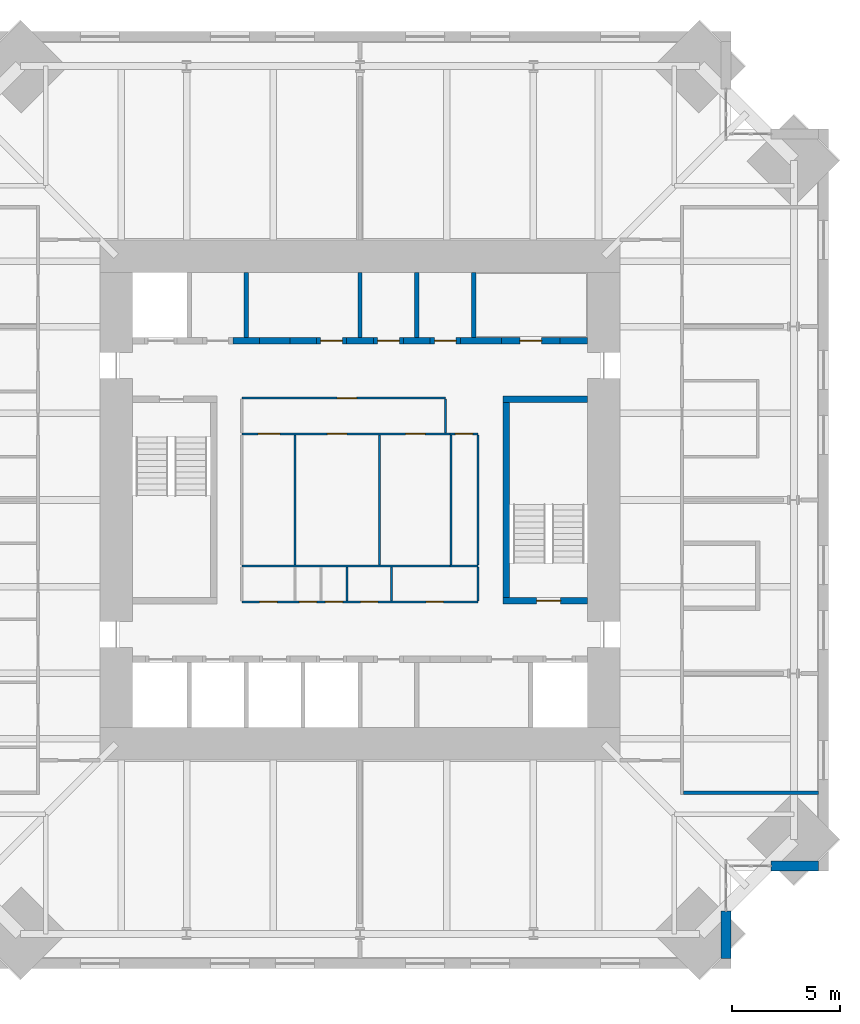
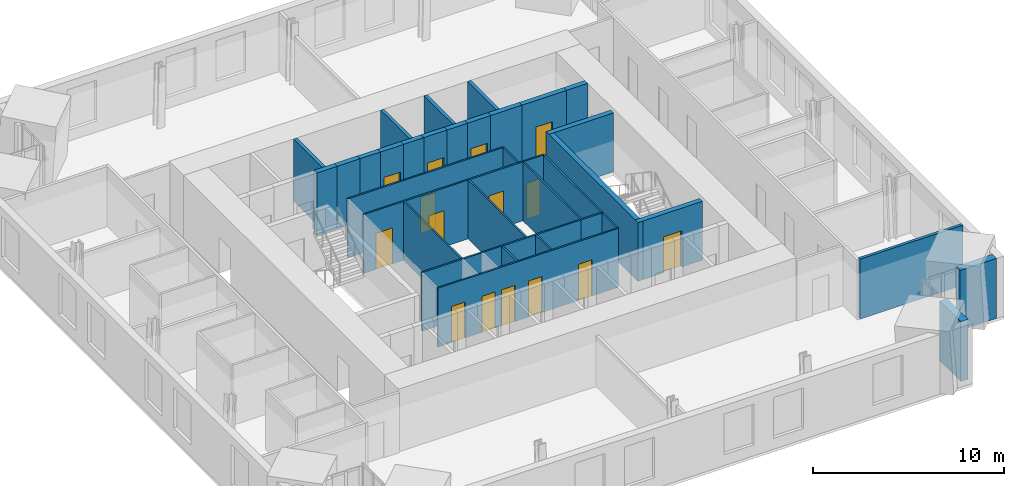
# One storey, part 13 of 16: 35 walls, 15 doors, 15 openings.
"""IFC4 building model written with IfcOpenShell, lengths in metres."""

from ifc_helpers import new_model, si_unit, direction, frame, frame_2d, origin, place, context, subcontext, project, spatial, rectangle, extrude, material, layer, layer_set, type_object, element, fill, save


model = new_model("IFC4")

# Units and contexts
model_context = context("Model", 3, precision=1e-05, world=origin(), true_north=direction((0.0, 1.0)))
body_context = subcontext(model_context, "Body", "Model", "MODEL_VIEW")
ifc_project = project(units=[si_unit("LENGTHUNIT", "METRE"), si_unit("AREAUNIT", "SQUARE_METRE"), si_unit("VOLUMEUNIT", "CUBIC_METRE"), si_unit("PLANEANGLEUNIT", "RADIAN"), si_unit("MASSUNIT", "GRAM", prefix="KILO")], contexts=[model_context])

# Site, building, storey
site_placement = place(None, origin())
site = spatial("IfcSite", under=ifc_project, at=site_placement, CompositionType="ELEMENT")
building_placement = place(site_placement, origin())
building = spatial("IfcBuilding", under=site, at=building_placement, Name="Peilmerk Tower", CompositionType="ELEMENT")
storey_placement = place(building_placement, frame((0.0, 0.0, 269.800048828125)))
storey = spatial("IfcBuildingStorey", under=building, at=storey_placement, Name="L60", CompositionType="ELEMENT", Elevation=269.800048828125)

# Walls
ifc_material_1 = material(Name="Precast concrete C45/55, board-marked finish", Category="concrete")
ifc_layer_1 = layer(ifc_material_1, 0.449951171875)
ifc_layer_set_1 = layer_set([ifc_layer_1], Name="Precast concrete C45/55, board-marked finish")
wall_type_1 = type_object("IfcWallType", Name="EW1 450 precast concrete facade wall, board-marked", PredefinedType="SOLIDWALL", material=ifc_layer_set_1)
for number, where, z_axis, x_axis, name in (
    (1, (16.875, -18.95361328125, 0.0), (0.0, 0.0, 1.0), (0.0, -1.0, 0.0), "Facade wall SEA L60"),
    (2, (18.95361328125, -16.875, 0.0), (0.0, 0.0, 1.0), (1.0, 0.0, 0.0), "Facade wall SEB L60"),
):
    element("IfcWall", number, at=place(storey_placement, frame(where, z_axis=z_axis, x_axis=x_axis)), inside=storey, type_object=wall_type_1, Name=name, PredefinedType="SOLIDWALL", context=body_context, shape_type="SweptSolid", body=[
        extrude(rectangle(XDim=2.1962890625, YDim=0.449951171875, at=frame_2d((1.09814453125, 0.0))), origin(), (0.0, 0.0, 1.0), 3.829833984375),
    ])
ifc_material_2 = material(Name="Concrete C35/45", Category="concrete")
ifc_layer_2 = layer(ifc_material_2, 0.300048828125)
ifc_layer_set_2 = layer_set([ifc_layer_2], Name="Concrete C35/45")
wall_type_2 = type_object("IfcWallType", Name="IW3 300 concrete stair enclosure wall, EI 120", PredefinedType="SOLIDWALL", material=ifc_layer_set_2)
wall_1_placement = place(storey_placement, frame((6.75, -4.800048828125, 0.0), z_axis=(0.0, 0.0, 1.0), x_axis=(0.0, 1.0, 0.0)))
element("IfcWall", 3, at=wall_1_placement, inside=storey, type_object=wall_type_2, Name="Stair 2 enclosure L60", PredefinedType="SOLIDWALL", context=body_context, shape_type="SweptSolid", body=[
    extrude(rectangle(XDim=9.60009765625, YDim=0.300048828125, at=frame_2d((4.800048828125, 0.0))), origin(), (0.0, 0.0, 1.0), 3.75),
])
wall_2_placement = place(storey_placement, frame((6.60009765625, 4.64990234375, 0.0), z_axis=(0.0, 0.0, 1.0), x_axis=(1.0, 0.0, 0.0)))
element("IfcWall", 4, at=wall_2_placement, inside=storey, type_object=wall_type_2, Name="Stair 2 enclosure L60", PredefinedType="SOLIDWALL", context=body_context, shape_type="SweptSolid", body=[
    extrude(rectangle(XDim=3.89990234375, YDim=0.300048828125, at=frame_2d((1.949951171875, 0.0))), origin(), (0.0, 0.0, 1.0), 3.75),
])

# Wall, opening, door
wall_3_placement = place(storey_placement, frame((10.5, -4.64990234375, 0.0), z_axis=(0.0, 0.0, 1.0), x_axis=(-1.0, 0.0, 0.0)))
wall_3 = element("IfcWall", 5, at=wall_3_placement, inside=storey, type_object=wall_type_2, Name="Stair 2 enclosure L60", PredefinedType="SOLIDWALL", context=body_context, shape_type="SweptSolid", body=[
    extrude(rectangle(XDim=3.89990234375, YDim=0.300048828125, at=frame_2d((1.949951171875, 0.0))), origin(), (0.0, 0.0, 1.0), 3.75),
])
opening_1_placement = place(wall_3_placement, frame((1.25, 0.0, 0.0)))
opening_1 = element("IfcOpeningElement", 6, at=opening_1_placement, cuts=wall_3, Name="Opening D4", PredefinedType="OPENING", context=body_context, shape_type="SweptSolid", body=[
    extrude(rectangle(XDim=1.10009765625, YDim=2.300048828125, at=frame_2d((0.550048828125, 1.14990234375))), frame((0.0, 0.159912109375, 0.0), z_axis=(0.0, -1.0, 0.0), x_axis=(1.0, 0.0, 0.0)), (0.0, 0.0, 1.0), 0.320068359375),
])
ifc_material_3 = material(Name="Steel door in steel frame", Category="steel")
door_type_1 = type_object("IfcDoorType", Name="D4 1100x2300 stair door, EI2 60", OperationType="SINGLE_SWING_RIGHT", PredefinedType="DOOR", material=ifc_material_3)
door_1_placement = place(opening_1_placement, frame((1.10009765625, 0.0, 0.0), z_axis=(0.0, 0.0, 1.0), x_axis=(-1.0, 0.0, 0.0)))
door_1 = element("IfcDoor", 7, at=door_1_placement, inside=storey, type_object=door_type_1, Name="Stair 2 door L60", OperationType="SINGLE_SWING_RIGHT", OverallHeight=2.300048828125, OverallWidth=1.10009765625, PredefinedType="DOOR", context=body_context, shape_type="SweptSolid", body=[
    extrude(rectangle(XDim=1.10009765625, YDim=2.300048828125, at=frame_2d((0.550048828125, 1.14990234375))), frame((0.0, 0.02490234375, 0.0), z_axis=(0.0, -1.0, 0.0), x_axis=(1.0, 0.0, 0.0)), (0.0, 0.0, 1.0), 0.050048828125),
])
fill(opening_1, door_1)

# Wall, openings, doors
ifc_material_4 = material(Name="Plasterboard on steel studs", Category="steel")
ifc_layer_3 = layer(ifc_material_4, 0.10009765625)
ifc_layer_set_3 = layer_set([ifc_layer_3], Name="Plasterboard on steel studs")
wall_type_3 = type_object("IfcWallType", Name="IW4 100 WC partition", PredefinedType="PARTITIONING", material=ifc_layer_set_3)
wall_4_placement = place(storey_placement, frame((-5.449951171875, 3.050048828125, 0.0), z_axis=(0.0, 0.0, 1.0), x_axis=(1.0, 0.0, 0.0)))
wall_4 = element("IfcWall", 8, at=wall_4_placement, inside=storey, type_object=wall_type_3, Name="WC wall L60", PredefinedType="PARTITIONING", context=body_context, shape_type="SweptSolid", body=[
    extrude(rectangle(XDim=9.599853515625, YDim=0.10009765625, at=frame_2d((4.7998046875, 0.0))), origin(), (0.0, 0.0, 1.0), 3.75),
])
opening_2_placement = place(wall_4_placement, frame((0.75, 0.0, 0.0)))
opening_2 = element("IfcOpeningElement", 9, at=opening_2_placement, cuts=wall_4, Name="Opening D6", PredefinedType="OPENING", context=body_context, shape_type="SweptSolid", body=[
    extrude(rectangle(XDim=1.0, YDim=2.300048828125, at=frame_2d((0.5, 1.14990234375))), frame((0.0, 0.06005859375, 0.0), z_axis=(0.0, -1.0, 0.0), x_axis=(1.0, 0.0, 0.0)), (0.0, 0.0, 1.0), 0.1201171875),
])
opening_3_placement = place(wall_4_placement, frame((3.949951171875, 0.0, 0.0)))
opening_3 = element("IfcOpeningElement", 10, at=opening_3_placement, cuts=wall_4, Name="Opening D5", PredefinedType="OPENING", context=body_context, shape_type="SweptSolid", body=[
    extrude(rectangle(XDim=0.89990234375, YDim=2.300048828125, at=frame_2d((0.449951171875, 1.14990234375))), frame((0.0, 0.06005859375, 0.0), z_axis=(0.0, -1.0, 0.0), x_axis=(1.0, 0.0, 0.0)), (0.0, 0.0, 1.0), 0.1201171875),
])
opening_4_placement = place(wall_4_placement, frame((7.550048828125, 0.0, 0.0)))
opening_4 = element("IfcOpeningElement", 11, at=opening_4_placement, cuts=wall_4, Name="Opening D5", PredefinedType="OPENING", context=body_context, shape_type="SweptSolid", body=[
    extrude(rectangle(XDim=0.89990234375, YDim=2.300048828125, at=frame_2d((0.449951171875, 1.14990234375))), frame((0.0, 0.06005859375, 0.0), z_axis=(0.0, -1.0, 0.0), x_axis=(1.0, 0.0, 0.0)), (0.0, 0.0, 1.0), 0.1201171875),
])
ifc_material_5 = material(Name="Timber door in steel frame", Category="steel")
door_type_2 = type_object("IfcDoorType", Name="D5 900x2300 WC door", OperationType="SINGLE_SWING_LEFT", PredefinedType="DOOR", material=ifc_material_5)
door_2_placement = place(opening_3_placement, frame((0.89990234375, 0.0, 0.0), z_axis=(0.0, 0.0, 1.0), x_axis=(-1.0, 0.0, 0.0)))
door_2 = element("IfcDoor", 12, at=door_2_placement, inside=storey, type_object=door_type_2, Name="Female toilets door L60", OperationType="SINGLE_SWING_LEFT", OverallHeight=2.300048828125, OverallWidth=0.89990234375, PredefinedType="DOOR", context=body_context, shape_type="SweptSolid", body=[
    extrude(rectangle(XDim=0.89990234375, YDim=2.300048828125, at=frame_2d((0.449951171875, 1.14990234375))), frame((0.0, 0.02490234375, 0.0), z_axis=(0.0, -1.0, 0.0), x_axis=(1.0, 0.0, 0.0)), (0.0, 0.0, 1.0), 0.050048828125),
])
fill(opening_3, door_2)
door_3_placement = place(opening_4_placement, frame((0.89990234375, 0.0, 0.0), z_axis=(0.0, 0.0, 1.0), x_axis=(-1.0, 0.0, 0.0)))
door_3 = element("IfcDoor", 13, at=door_3_placement, inside=storey, type_object=door_type_2, Name="Male toilets door L60", OperationType="SINGLE_SWING_LEFT", OverallHeight=2.300048828125, OverallWidth=0.89990234375, PredefinedType="DOOR", context=body_context, shape_type="SweptSolid", body=[
    extrude(rectangle(XDim=0.89990234375, YDim=2.300048828125, at=frame_2d((0.449951171875, 1.14990234375))), frame((0.0, 0.02490234375, 0.0), z_axis=(0.0, -1.0, 0.0), x_axis=(1.0, 0.0, 0.0)), (0.0, 0.0, 1.0), 0.050048828125),
])
fill(opening_4, door_3)
door_type_3 = type_object("IfcDoorType", Name="D6 1000x2300 accessible WC door", OperationType="SLIDING_TO_LEFT", PredefinedType="DOOR", material=ifc_material_5)
door_4_placement = place(opening_2_placement, frame((1.0, 0.0, 0.0), z_axis=(0.0, 0.0, 1.0), x_axis=(-1.0, 0.0, 0.0)))
door_4 = element("IfcDoor", 14, at=door_4_placement, inside=storey, type_object=door_type_3, Name="Accessible WC door L60", OperationType="SLIDING_TO_LEFT", OverallHeight=2.300048828125, OverallWidth=1.0, PredefinedType="DOOR", context=body_context, shape_type="SweptSolid", body=[
    extrude(rectangle(XDim=1.0, YDim=2.300048828125, at=frame_2d((0.5, 1.14990234375))), frame((0.0, 0.02490234375, 0.0), z_axis=(0.0, -1.0, 0.0), x_axis=(1.0, 0.0, 0.0)), (0.0, 0.0, 1.0), 0.050048828125),
])
fill(opening_2, door_4)

# Walls
wall_5_placement = place(storey_placement, frame((4.14990234375, -3.050048828125, 0.0), z_axis=(0.0, 0.0, 1.0), x_axis=(-1.0, 0.0, 0.0)))
element("IfcWall", 15, at=wall_5_placement, inside=storey, type_object=wall_type_3, Name="WC wall L60", PredefinedType="PARTITIONING", context=body_context, shape_type="SweptSolid", body=[
    extrude(rectangle(XDim=9.599853515625, YDim=0.10009765625, at=frame_2d((4.7998046875, 0.0))), origin(), (0.0, 0.0, 1.0), 3.75),
])
for number, where, z_axis, x_axis, name in (
    (16, (-3.0, -3.0, 0.0), (0.0, 0.0, 1.0), (0.0, 1.0, 0.0), "WC wall L60"),
    (17, (0.89990234375, -3.0, 0.0), (0.0, 0.0, 1.0), (0.0, 1.0, 0.0), "WC wall L60"),
):
    element("IfcWall", number, at=place(storey_placement, frame(where, z_axis=z_axis, x_axis=x_axis)), inside=storey, type_object=wall_type_3, Name=name, PredefinedType="PARTITIONING", context=body_context, shape_type="SweptSolid", body=[
        extrude(rectangle(XDim=6.0, YDim=0.10009765625, at=frame_2d((3.0, 0.0))), origin(), (0.0, 0.0, 1.0), 3.75),
    ])

# Wall, opening, door
ifc_material_6 = material(Name="Calcium silicate board on steel studs", Category="steel")
ifc_layer_4 = layer(ifc_material_6, 0.10009765625)
ifc_layer_set_4 = layer_set([ifc_layer_4], Name="Calcium silicate board on steel studs")
wall_type_4 = type_object("IfcWallType", Name="IW5 100 riser enclosure wall, EI 60", PredefinedType="PARTITIONING", material=ifc_layer_set_4)
wall_6_placement = place(storey_placement, frame((4.14990234375, 3.050048828125, 0.0), z_axis=(0.0, 0.0, 1.0), x_axis=(1.0, 0.0, 0.0)))
wall_6 = element("IfcWall", 18, at=wall_6_placement, inside=storey, type_object=wall_type_4, Name="Riser wall L60", PredefinedType="PARTITIONING", context=body_context, shape_type="SweptSolid", body=[
    extrude(rectangle(XDim=1.300048828125, YDim=0.10009765625, at=frame_2d((0.64990234375, 0.0))), origin(), (0.0, 0.0, 1.0), 3.75),
])
opening_5_placement = place(wall_6_placement, frame((0.25, 0.0, 0.0)))
opening_5 = element("IfcOpeningElement", 19, at=opening_5_placement, cuts=wall_6, Name="Opening D7", PredefinedType="OPENING", context=body_context, shape_type="SweptSolid", body=[
    extrude(rectangle(XDim=0.800048828125, YDim=2.300048828125, at=frame_2d((0.39990234375, 1.14990234375))), frame((0.0, 0.06005859375, 0.0), z_axis=(0.0, -1.0, 0.0), x_axis=(1.0, 0.0, 0.0)), (0.0, 0.0, 1.0), 0.1201171875),
])
door_type_4 = type_object("IfcDoorType", Name="D7 800x2300 riser access door, EI2 60", OperationType="SINGLE_SWING_RIGHT", PredefinedType="DOOR", material=ifc_material_3)
door_5_placement = place(opening_5_placement, frame((0.800048828125, 0.0, 0.0), z_axis=(0.0, 0.0, 1.0), x_axis=(-1.0, 0.0, 0.0)))
door_5 = element("IfcDoor", 20, at=door_5_placement, inside=storey, type_object=door_type_4, Name="Plumbing riser door L60", OperationType="SINGLE_SWING_RIGHT", OverallHeight=2.300048828125, OverallWidth=0.800048828125, PredefinedType="DOOR", context=body_context, shape_type="SweptSolid", body=[
    extrude(rectangle(XDim=0.800048828125, YDim=2.300048828125, at=frame_2d((0.39990234375, 1.14990234375))), frame((0.0, 0.02490234375, 0.0), z_axis=(0.0, -1.0, 0.0), x_axis=(1.0, 0.0, 0.0)), (0.0, 0.0, 1.0), 0.050048828125),
])
fill(opening_5, door_5)

# Walls
wall_7_placement = place(storey_placement, frame((5.449951171875, -3.050048828125, 0.0), z_axis=(0.0, 0.0, 1.0), x_axis=(-1.0, 0.0, 0.0)))
element("IfcWall", 21, at=wall_7_placement, inside=storey, type_object=wall_type_4, Name="Riser wall L60", PredefinedType="PARTITIONING", context=body_context, shape_type="SweptSolid", body=[
    extrude(rectangle(XDim=1.300048828125, YDim=0.10009765625, at=frame_2d((0.64990234375, 0.0))), origin(), (0.0, 0.0, 1.0), 3.75),
])
for number, where, z_axis, x_axis, name in (
    (22, (5.449951171875, 3.0, 0.0), (0.0, 0.0, 1.0), (0.0, -1.0, 0.0), "Riser wall L60"),
    (23, (4.199951171875, -3.0, 0.0), (0.0, 0.0, 1.0), (0.0, 1.0, 0.0), "Riser wall L60"),
):
    element("IfcWall", number, at=place(storey_placement, frame(where, z_axis=z_axis, x_axis=x_axis)), inside=storey, type_object=wall_type_4, Name=name, PredefinedType="PARTITIONING", context=body_context, shape_type="SweptSolid", body=[
        extrude(rectangle(XDim=6.0, YDim=0.10009765625, at=frame_2d((3.0, 0.0))), origin(), (0.0, 0.0, 1.0), 3.75),
    ])

# Wall, openings, doors
wall_8_placement = place(storey_placement, frame((5.449951171875, -4.699951171875, 0.0), z_axis=(0.0, 0.0, 1.0), x_axis=(-1.0, 0.0, 0.0)))
wall_8 = element("IfcWall", 24, at=wall_8_placement, inside=storey, type_object=wall_type_4, Name="Riser wall L60", PredefinedType="PARTITIONING", context=body_context, shape_type="SweptSolid", body=[
    extrude(rectangle(XDim=10.89990234375, YDim=0.10009765625, at=frame_2d((5.449951171875, 0.0))), origin(), (0.0, 0.0, 1.0), 3.75),
])
opening_6_placement = place(wall_8_placement, frame((9.27490234375, 0.0, 0.0)))
opening_6 = element("IfcOpeningElement", 25, at=opening_6_placement, cuts=wall_8, Name="Opening D7", PredefinedType="OPENING", context=body_context, shape_type="SweptSolid", body=[
    extrude(rectangle(XDim=0.800048828125, YDim=2.300048828125, at=frame_2d((0.39990234375, 1.14990234375))), frame((0.0, 0.06005859375, 0.0), z_axis=(0.0, -1.0, 0.0), x_axis=(1.0, 0.0, 0.0)), (0.0, 0.0, 1.0), 0.1201171875),
])
opening_7_placement = place(wall_8_placement, frame((7.449951171875, 0.0, 0.0)))
opening_7 = element("IfcOpeningElement", 26, at=opening_7_placement, cuts=wall_8, Name="Opening D7", PredefinedType="OPENING", context=body_context, shape_type="SweptSolid", body=[
    extrude(rectangle(XDim=0.800048828125, YDim=2.300048828125, at=frame_2d((0.39990234375, 1.14990234375))), frame((0.0, 0.06005859375, 0.0), z_axis=(0.0, -1.0, 0.0), x_axis=(1.0, 0.0, 0.0)), (0.0, 0.0, 1.0), 0.1201171875),
])
opening_8_placement = place(wall_8_placement, frame((6.25, 0.0, 0.0)))
opening_8 = element("IfcOpeningElement", 27, at=opening_8_placement, cuts=wall_8, Name="Opening D7", PredefinedType="OPENING", context=body_context, shape_type="SweptSolid", body=[
    extrude(rectangle(XDim=0.800048828125, YDim=2.300048828125, at=frame_2d((0.39990234375, 1.14990234375))), frame((0.0, 0.06005859375, 0.0), z_axis=(0.0, -1.0, 0.0), x_axis=(1.0, 0.0, 0.0)), (0.0, 0.0, 1.0), 0.1201171875),
])
opening_9_placement = place(wall_8_placement, frame((4.625, 0.0, 0.0)))
opening_9 = element("IfcOpeningElement", 28, at=opening_9_placement, cuts=wall_8, Name="Opening D7", PredefinedType="OPENING", context=body_context, shape_type="SweptSolid", body=[
    extrude(rectangle(XDim=0.800048828125, YDim=2.300048828125, at=frame_2d((0.39990234375, 1.14990234375))), frame((0.0, 0.06005859375, 0.0), z_axis=(0.0, -1.0, 0.0), x_axis=(1.0, 0.0, 0.0)), (0.0, 0.0, 1.0), 0.1201171875),
])
opening_10_placement = place(wall_8_placement, frame((1.60009765625, 0.0, 0.0)))
opening_10 = element("IfcOpeningElement", 29, at=opening_10_placement, cuts=wall_8, Name="Opening D7", PredefinedType="OPENING", context=body_context, shape_type="SweptSolid", body=[
    extrude(rectangle(XDim=0.800048828125, YDim=2.300048828125, at=frame_2d((0.39990234375, 1.14990234375))), frame((0.0, 0.06005859375, 0.0), z_axis=(0.0, -1.0, 0.0), x_axis=(1.0, 0.0, 0.0)), (0.0, 0.0, 1.0), 0.1201171875),
])
door_6_placement = place(opening_6_placement, frame((0.800048828125, 0.0, 0.0), z_axis=(0.0, 0.0, 1.0), x_axis=(-1.0, 0.0, 0.0)))
door_6 = element("IfcDoor", 30, at=door_6_placement, inside=storey, type_object=door_type_4, Name="Cleaner's cupboard door L60", OperationType="SINGLE_SWING_RIGHT", OverallHeight=2.300048828125, OverallWidth=0.800048828125, PredefinedType="DOOR", context=body_context, shape_type="SweptSolid", body=[
    extrude(rectangle(XDim=0.800048828125, YDim=2.300048828125, at=frame_2d((0.39990234375, 1.14990234375))), frame((0.0, 0.02490234375, 0.0), z_axis=(0.0, -1.0, 0.0), x_axis=(1.0, 0.0, 0.0)), (0.0, 0.0, 1.0), 0.050048828125),
])
fill(opening_6, door_6)
door_7_placement = place(opening_7_placement, frame((0.800048828125, 0.0, 0.0), z_axis=(0.0, 0.0, 1.0), x_axis=(-1.0, 0.0, 0.0)))
door_7 = element("IfcDoor", 31, at=door_7_placement, inside=storey, type_object=door_type_4, Name="Electrical riser door L60", OperationType="SINGLE_SWING_RIGHT", OverallHeight=2.300048828125, OverallWidth=0.800048828125, PredefinedType="DOOR", context=body_context, shape_type="SweptSolid", body=[
    extrude(rectangle(XDim=0.800048828125, YDim=2.300048828125, at=frame_2d((0.39990234375, 1.14990234375))), frame((0.0, 0.02490234375, 0.0), z_axis=(0.0, -1.0, 0.0), x_axis=(1.0, 0.0, 0.0)), (0.0, 0.0, 1.0), 0.050048828125),
])
fill(opening_7, door_7)
door_8_placement = place(opening_8_placement, frame((0.800048828125, 0.0, 0.0), z_axis=(0.0, 0.0, 1.0), x_axis=(-1.0, 0.0, 0.0)))
door_8 = element("IfcDoor", 32, at=door_8_placement, inside=storey, type_object=door_type_4, Name="Data riser door L60", OperationType="SINGLE_SWING_RIGHT", OverallHeight=2.300048828125, OverallWidth=0.800048828125, PredefinedType="DOOR", context=body_context, shape_type="SweptSolid", body=[
    extrude(rectangle(XDim=0.800048828125, YDim=2.300048828125, at=frame_2d((0.39990234375, 1.14990234375))), frame((0.0, 0.02490234375, 0.0), z_axis=(0.0, -1.0, 0.0), x_axis=(1.0, 0.0, 0.0)), (0.0, 0.0, 1.0), 0.050048828125),
])
fill(opening_8, door_8)
door_9_placement = place(opening_9_placement, frame((0.800048828125, 0.0, 0.0), z_axis=(0.0, 0.0, 1.0), x_axis=(-1.0, 0.0, 0.0)))
door_9 = element("IfcDoor", 33, at=door_9_placement, inside=storey, type_object=door_type_4, Name="Electrical room door L60", OperationType="SINGLE_SWING_RIGHT", OverallHeight=2.300048828125, OverallWidth=0.800048828125, PredefinedType="DOOR", context=body_context, shape_type="SweptSolid", body=[
    extrude(rectangle(XDim=0.800048828125, YDim=2.300048828125, at=frame_2d((0.39990234375, 1.14990234375))), frame((0.0, 0.02490234375, 0.0), z_axis=(0.0, -1.0, 0.0), x_axis=(1.0, 0.0, 0.0)), (0.0, 0.0, 1.0), 0.050048828125),
])
fill(opening_9, door_9)
door_10_placement = place(opening_10_placement, frame((0.800048828125, 0.0, 0.0), z_axis=(0.0, 0.0, 1.0), x_axis=(-1.0, 0.0, 0.0)))
door_10 = element("IfcDoor", 34, at=door_10_placement, inside=storey, type_object=door_type_4, Name="Comms room door L60", OperationType="SINGLE_SWING_RIGHT", OverallHeight=2.300048828125, OverallWidth=0.800048828125, PredefinedType="DOOR", context=body_context, shape_type="SweptSolid", body=[
    extrude(rectangle(XDim=0.800048828125, YDim=2.300048828125, at=frame_2d((0.39990234375, 1.14990234375))), frame((0.0, 0.02490234375, 0.0), z_axis=(0.0, -1.0, 0.0), x_axis=(1.0, 0.0, 0.0)), (0.0, 0.0, 1.0), 0.050048828125),
])
fill(opening_10, door_10)

# Walls
for number, where, z_axis, x_axis, name in (
    (35, (5.449951171875, -3.10009765625, 0.0), (0.0, 0.0, 1.0), (0.0, -1.0, 0.0), "Riser wall L60"),
    (36, (-0.60009765625, -3.10009765625, 0.0), (0.0, 0.0, 1.0), (0.0, -1.0, 0.0), "Riser wall L60"),
    (37, (1.449951171875, -3.10009765625, 0.0), (0.0, 0.0, 1.0), (0.0, -1.0, 0.0), "Riser wall L60"),
):
    element("IfcWall", number, at=place(storey_placement, frame(where, z_axis=z_axis, x_axis=x_axis)), inside=storey, type_object=wall_type_4, Name=name, PredefinedType="PARTITIONING", context=body_context, shape_type="SweptSolid", body=[
        extrude(rectangle(XDim=1.5498046875, YDim=0.10009765625, at=frame_2d((0.77490234375, 0.0))), origin(), (0.0, 0.0, 1.0), 3.75),
    ])
ifc_material_7 = material(Name="Calcium silicate block", Category="masonry")
ifc_layer_5 = layer(ifc_material_7, 0.175048828125)
ifc_layer_set_5 = layer_set([ifc_layer_5], Name="Calcium silicate block")
wall_type_5 = type_object("IfcWallType", Name="IW8 175 tenant separating wall, EI 60", PredefinedType="PARTITIONING", material=ifc_layer_set_5)
wall_9_placement = place(storey_placement, frame((21.14990234375, -13.5, 0.0), z_axis=(0.0, 0.0, 1.0), x_axis=(-1.0, 0.0, 0.0)))
element("IfcWall", 38, at=wall_9_placement, inside=storey, type_object=wall_type_5, Name="Tenant separating wall SE L60", PredefinedType="PARTITIONING", context=body_context, shape_type="SweptSolid", body=[
    extrude(rectangle(XDim=6.224853515625, YDim=0.175048828125, at=frame_2d((3.1123046875, 0.0))), origin(), (0.0, 0.0, 1.0), 3.829833984375),
])

# Wall, opening, door
ifc_material_8 = material(Name="Fire-resisting plasterboard on steel studs", Category="steel")
ifc_layer_6 = layer(ifc_material_8, 0.10009765625)
ifc_layer_set_6 = layer_set([ifc_layer_6], Name="Fire-resisting plasterboard on steel studs")
wall_type_6 = type_object("IfcWallType", Name="IW9 100 WC lobby wall, EI 30", PredefinedType="PARTITIONING", material=ifc_layer_set_6)
wall_10_placement = place(storey_placement, frame((-5.449951171875, 4.699951171875, 0.0), z_axis=(0.0, 0.0, 1.0), x_axis=(1.0, 0.0, 0.0)))
wall_10 = element("IfcWall", 39, at=wall_10_placement, inside=storey, type_object=wall_type_6, Name="WC lobby wall L60", PredefinedType="PARTITIONING", context=body_context, shape_type="SweptSolid", body=[
    extrude(rectangle(XDim=9.39990234375, YDim=0.10009765625, at=frame_2d((4.699951171875, 0.0))), origin(), (0.0, 0.0, 1.0), 3.75),
])
opening_11_placement = place(wall_10_placement, frame((4.39990234375, 0.0, 0.0)))
opening_11 = element("IfcOpeningElement", 40, at=opening_11_placement, cuts=wall_10, Name="Opening D11", PredefinedType="OPENING", context=body_context, shape_type="SweptSolid", body=[
    extrude(rectangle(XDim=0.89990234375, YDim=2.300048828125, at=frame_2d((0.449951171875, 1.14990234375))), frame((0.0, 0.06005859375, 0.0), z_axis=(0.0, -1.0, 0.0), x_axis=(1.0, 0.0, 0.0)), (0.0, 0.0, 1.0), 0.1201171875),
])
door_type_5 = type_object("IfcDoorType", Name="D11 900x2300 WC lobby door, EI2 30", OperationType="SINGLE_SWING_LEFT", PredefinedType="DOOR", material=ifc_material_5)
door_11_placement = place(opening_11_placement, frame((0.89990234375, 0.0, 0.0), z_axis=(0.0, 0.0, 1.0), x_axis=(-1.0, 0.0, 0.0)))
door_11 = element("IfcDoor", 41, at=door_11_placement, inside=storey, type_object=door_type_5, Name="WC lobby door L60", OperationType="SINGLE_SWING_LEFT", OverallHeight=2.300048828125, OverallWidth=0.89990234375, PredefinedType="DOOR", context=body_context, shape_type="SweptSolid", body=[
    extrude(rectangle(XDim=0.89990234375, YDim=2.300048828125, at=frame_2d((0.449951171875, 1.14990234375))), frame((0.0, 0.02490234375, 0.0), z_axis=(0.0, -1.0, 0.0), x_axis=(1.0, 0.0, 0.0)), (0.0, 0.0, 1.0), 0.050048828125),
])
fill(opening_11, door_11)

# Walls
wall_11_placement = place(storey_placement, frame((3.949951171875, 3.10009765625, 0.0), z_axis=(0.0, 0.0, 1.0), x_axis=(0.0, 1.0, 0.0)))
element("IfcWall", 42, at=wall_11_placement, inside=storey, type_object=wall_type_6, Name="WC lobby wall L60", PredefinedType="PARTITIONING", context=body_context, shape_type="SweptSolid", body=[
    extrude(rectangle(XDim=1.5498046875, YDim=0.10009765625, at=frame_2d((0.77490234375, 0.0))), origin(), (0.0, 0.0, 1.0), 3.75),
])
ifc_layer_7 = layer(ifc_material_7, 0.199951171875)
ifc_layer_set_7 = layer_set([ifc_layer_7], Name="Calcium silicate block")
wall_type_7 = type_object("IfcWallType", Name="SH1 200 shaft dividing wall, EI 120", PredefinedType="PARTITIONING", material=ifc_layer_set_7)
for number, where, z_axis, x_axis, name in (
    (43, (-5.25, 7.5, 0.0), (0.0, 0.0, 1.0), (0.0, 1.0, 0.0), "Shaft wall N A1 L60"),
    (44, (0.0, 7.5, 0.0), (0.0, 0.0, 1.0), (0.0, 1.0, 0.0), "Shaft wall N A3 L60"),
    (45, (2.625, 7.5, 0.0), (0.0, 0.0, 1.0), (0.0, 1.0, 0.0), "Shaft wall N S1 L60"),
    (46, (5.25, 7.5, 0.0), (0.0, 0.0, 1.0), (0.0, 1.0, 0.0), "Shaft wall N S2 L60"),
):
    element("IfcWall", number, at=place(storey_placement, frame(where, z_axis=z_axis, x_axis=x_axis)), inside=storey, type_object=wall_type_7, Name=name, PredefinedType="PARTITIONING", context=body_context, shape_type="SweptSolid", body=[
        extrude(rectangle(XDim=3.0, YDim=0.199951171875, at=frame_2d((1.5, 0.0))), origin(), (0.0, 0.0, 1.0), 4.0),
    ])
ifc_layer_8 = layer(ifc_material_7, 0.300048828125)
ifc_layer_set_8 = layer_set([ifc_layer_8], Name="Calcium silicate block")
wall_type_8 = type_object("IfcWallType", Name="SH2 300 lift landing door panel, EI 120", PredefinedType="PARTITIONING", material=ifc_layer_set_8)
wall_12_placement = place(storey_placement, frame((-4.637451171875, 7.35009765625, 0.0), z_axis=(0.0, 0.0, 1.0), x_axis=(1.0, 0.0, 0.0)))
element("IfcWall", 47, at=wall_12_placement, inside=storey, type_object=wall_type_8, Name="Lift door panel N A2 L60", PredefinedType="PARTITIONING", context=body_context, shape_type="SweptSolid", body=[
    extrude(rectangle(XDim=1.39990234375, YDim=0.300048828125, at=frame_2d((0.699951171875, 0.0))), origin(), (0.0, 0.0, 1.0), 4.0),
])

# Wall, opening, door
wall_13_placement = place(storey_placement, frame((-2.012451171875, 7.35009765625, 0.0), z_axis=(0.0, 0.0, 1.0), x_axis=(1.0, 0.0, 0.0)))
wall_13 = element("IfcWall", 48, at=wall_13_placement, inside=storey, type_object=wall_type_8, Name="Lift door panel N A3 L60", PredefinedType="PARTITIONING", context=body_context, shape_type="SweptSolid", body=[
    extrude(rectangle(XDim=1.39990234375, YDim=0.300048828125, at=frame_2d((0.699951171875, 0.0))), origin(), (0.0, 0.0, 1.0), 4.0),
])
opening_12_placement = place(wall_13_placement, frame((0.199951171875, 0.0, 0.0)))
opening_12 = element("IfcOpeningElement", 49, at=opening_12_placement, cuts=wall_13, Name="Opening D10", PredefinedType="OPENING", context=body_context, shape_type="SweptSolid", body=[
    extrude(rectangle(XDim=1.0, YDim=2.300048828125, at=frame_2d((0.5, 1.14990234375))), frame((0.0, 0.159912109375, 0.0), z_axis=(0.0, -1.0, 0.0), x_axis=(1.0, 0.0, 0.0)), (0.0, 0.0, 1.0), 0.320068359375),
])
door_type_6 = type_object("IfcDoorType", Name="D10 1000x2300 core room door, EI2 60", OperationType="SINGLE_SWING_RIGHT", PredefinedType="DOOR", material=ifc_material_3)
door_12_placement = place(opening_12_placement, origin())
door_12 = element("IfcDoor", 50, at=door_12_placement, inside=storey, type_object=door_type_6, Name="Door Mail room L60", OperationType="SINGLE_SWING_RIGHT", OverallHeight=2.300048828125, OverallWidth=1.0, PredefinedType="DOOR", context=body_context, shape_type="SweptSolid", body=[
    extrude(rectangle(XDim=1.0, YDim=2.300048828125, at=frame_2d((0.5, 1.14990234375))), frame((0.0, 0.02490234375, 0.0), z_axis=(0.0, -1.0, 0.0), x_axis=(1.0, 0.0, 0.0)), (0.0, 0.0, 1.0), 0.050048828125),
])
fill(opening_12, door_12)

wall_14_placement = place(storey_placement, frame((0.612548828125, 7.35009765625, 0.0), z_axis=(0.0, 0.0, 1.0), x_axis=(1.0, 0.0, 0.0)))
wall_14 = element("IfcWall", 51, at=wall_14_placement, inside=storey, type_object=wall_type_8, Name="Lift door panel N S1 L60", PredefinedType="PARTITIONING", context=body_context, shape_type="SweptSolid", body=[
    extrude(rectangle(XDim=1.39990234375, YDim=0.300048828125, at=frame_2d((0.699951171875, 0.0))), origin(), (0.0, 0.0, 1.0), 4.0),
])
opening_13_placement = place(wall_14_placement, frame((0.199951171875, 0.0, 0.0)))
opening_13 = element("IfcOpeningElement", 52, at=opening_13_placement, cuts=wall_14, Name="Opening D10", PredefinedType="OPENING", context=body_context, shape_type="SweptSolid", body=[
    extrude(rectangle(XDim=1.0, YDim=2.300048828125, at=frame_2d((0.5, 1.14990234375))), frame((0.0, 0.159912109375, 0.0), z_axis=(0.0, -1.0, 0.0), x_axis=(1.0, 0.0, 0.0)), (0.0, 0.0, 1.0), 0.320068359375),
])
door_13_placement = place(opening_13_placement, origin())
door_13 = element("IfcDoor", 53, at=door_13_placement, inside=storey, type_object=door_type_6, Name="Door Water meter room L60", OperationType="SINGLE_SWING_RIGHT", OverallHeight=2.300048828125, OverallWidth=1.0, PredefinedType="DOOR", context=body_context, shape_type="SweptSolid", body=[
    extrude(rectangle(XDim=1.0, YDim=2.300048828125, at=frame_2d((0.5, 1.14990234375))), frame((0.0, 0.02490234375, 0.0), z_axis=(0.0, -1.0, 0.0), x_axis=(1.0, 0.0, 0.0)), (0.0, 0.0, 1.0), 0.050048828125),
])
fill(opening_13, door_13)

wall_15_placement = place(storey_placement, frame((3.237548828125, 7.35009765625, 0.0), z_axis=(0.0, 0.0, 1.0), x_axis=(1.0, 0.0, 0.0)))
wall_15 = element("IfcWall", 54, at=wall_15_placement, inside=storey, type_object=wall_type_8, Name="Lift door panel N S2 L60", PredefinedType="PARTITIONING", context=body_context, shape_type="SweptSolid", body=[
    extrude(rectangle(XDim=1.39990234375, YDim=0.300048828125, at=frame_2d((0.699951171875, 0.0))), origin(), (0.0, 0.0, 1.0), 4.0),
])
opening_14_placement = place(wall_15_placement, frame((0.199951171875, 0.0, 0.0)))
opening_14 = element("IfcOpeningElement", 55, at=opening_14_placement, cuts=wall_15, Name="Opening D10", PredefinedType="OPENING", context=body_context, shape_type="SweptSolid", body=[
    extrude(rectangle(XDim=1.0, YDim=2.300048828125, at=frame_2d((0.5, 1.14990234375))), frame((0.0, 0.159912109375, 0.0), z_axis=(0.0, -1.0, 0.0), x_axis=(1.0, 0.0, 0.0)), (0.0, 0.0, 1.0), 0.320068359375),
])
door_14_placement = place(opening_14_placement, origin())
door_14 = element("IfcDoor", 56, at=door_14_placement, inside=storey, type_object=door_type_6, Name="Door IT room L60", OperationType="SINGLE_SWING_RIGHT", OverallHeight=2.300048828125, OverallWidth=1.0, PredefinedType="DOOR", context=body_context, shape_type="SweptSolid", body=[
    extrude(rectangle(XDim=1.0, YDim=2.300048828125, at=frame_2d((0.5, 1.14990234375))), frame((0.0, 0.02490234375, 0.0), z_axis=(0.0, -1.0, 0.0), x_axis=(1.0, 0.0, 0.0)), (0.0, 0.0, 1.0), 0.050048828125),
])
fill(opening_14, door_14)

wall_16_placement = place(storey_placement, frame((6.52490234375, 7.35009765625, 0.0), z_axis=(0.0, 0.0, 1.0), x_axis=(1.0, 0.0, 0.0)))
wall_16 = element("IfcWall", 57, at=wall_16_placement, inside=storey, type_object=wall_type_8, Name="Lift door panel N GL1 L60", PredefinedType="PARTITIONING", context=body_context, shape_type="SweptSolid", body=[
    extrude(rectangle(XDim=2.7001953125, YDim=0.300048828125, at=frame_2d((1.35009765625, 0.0))), origin(), (0.0, 0.0, 1.0), 4.0),
])
opening_15_placement = place(wall_16_placement, frame((0.85009765625, 0.0, 0.0)))
opening_15 = element("IfcOpeningElement", 58, at=opening_15_placement, cuts=wall_16, Name="Opening D10", PredefinedType="OPENING", context=body_context, shape_type="SweptSolid", body=[
    extrude(rectangle(XDim=1.0, YDim=2.300048828125, at=frame_2d((0.5, 1.14990234375))), frame((0.0, 0.159912109375, 0.0), z_axis=(0.0, -1.0, 0.0), x_axis=(1.0, 0.0, 0.0)), (0.0, 0.0, 1.0), 0.320068359375),
])
door_15_placement = place(opening_15_placement, origin())
door_15 = element("IfcDoor", 59, at=door_15_placement, inside=storey, type_object=door_type_6, Name="Door Pantry L60", OperationType="SINGLE_SWING_RIGHT", OverallHeight=2.300048828125, OverallWidth=1.0, PredefinedType="DOOR", context=body_context, shape_type="SweptSolid", body=[
    extrude(rectangle(XDim=1.0, YDim=2.300048828125, at=frame_2d((0.5, 1.14990234375))), frame((0.0, 0.02490234375, 0.0), z_axis=(0.0, -1.0, 0.0), x_axis=(1.0, 0.0, 0.0)), (0.0, 0.0, 1.0), 0.050048828125),
])
fill(opening_15, door_15)

# Walls
ifc_material_9 = material(Name="Concrete C55/67", Category="concrete")
ifc_layer_9 = layer(ifc_material_9, 0.300048828125)
ifc_layer_set_9 = layer_set([ifc_layer_9], Name="Concrete C55/67")
wall_type_9 = type_object("IfcWallType", Name="SW2 300 lift bank pier", PredefinedType="SHEAR", material=ifc_layer_set_9)
for number, where, z_axis, x_axis, name in (
    (60, (-5.862548828125, 7.35009765625, 0.0), (0.0, 0.0, 1.0), (1.0, 0.0, 0.0), "Lift bank pier N L60"),
    (61, (-3.237548828125, 7.35009765625, 0.0), (0.0, 0.0, 1.0), (1.0, 0.0, 0.0), "Lift bank pier N L60"),
    (62, (-0.612548828125, 7.35009765625, 0.0), (0.0, 0.0, 1.0), (1.0, 0.0, 0.0), "Lift bank pier N L60"),
    (63, (2.012451171875, 7.35009765625, 0.0), (0.0, 0.0, 1.0), (1.0, 0.0, 0.0), "Lift bank pier N L60"),
):
    element("IfcWall", number, at=place(storey_placement, frame(where, z_axis=z_axis, x_axis=x_axis)), inside=storey, type_object=wall_type_9, Name=name, PredefinedType="SHEAR", context=body_context, shape_type="SweptSolid", body=[
        extrude(rectangle(XDim=1.22509765625, YDim=0.300048828125, at=frame_2d((0.612548828125, 0.0))), origin(), (0.0, 0.0, 1.0), 4.0),
    ])
wall_17_placement = place(storey_placement, frame((4.637451171875, 7.35009765625, 0.0), z_axis=(0.0, 0.0, 1.0), x_axis=(1.0, 0.0, 0.0)))
element("IfcWall", 64, at=wall_17_placement, inside=storey, type_object=wall_type_9, Name="Lift bank pier N L60", PredefinedType="SHEAR", context=body_context, shape_type="SweptSolid", body=[
    extrude(rectangle(XDim=1.887451171875, YDim=0.300048828125, at=frame_2d((0.94384765625, 0.0))), origin(), (0.0, 0.0, 1.0), 4.0),
])
wall_18_placement = place(storey_placement, frame((9.22509765625, 7.35009765625, 0.0), z_axis=(0.0, 0.0, 1.0), x_axis=(1.0, 0.0, 0.0)))
element("IfcWall", 65, at=wall_18_placement, inside=storey, type_object=wall_type_9, Name="Lift bank pier N L60", PredefinedType="SHEAR", context=body_context, shape_type="SweptSolid", body=[
    extrude(rectangle(XDim=1.27490234375, YDim=0.300048828125, at=frame_2d((0.637451171875, 0.0))), origin(), (0.0, 0.0, 1.0), 4.0),
])

save(model, "model.ifc")
